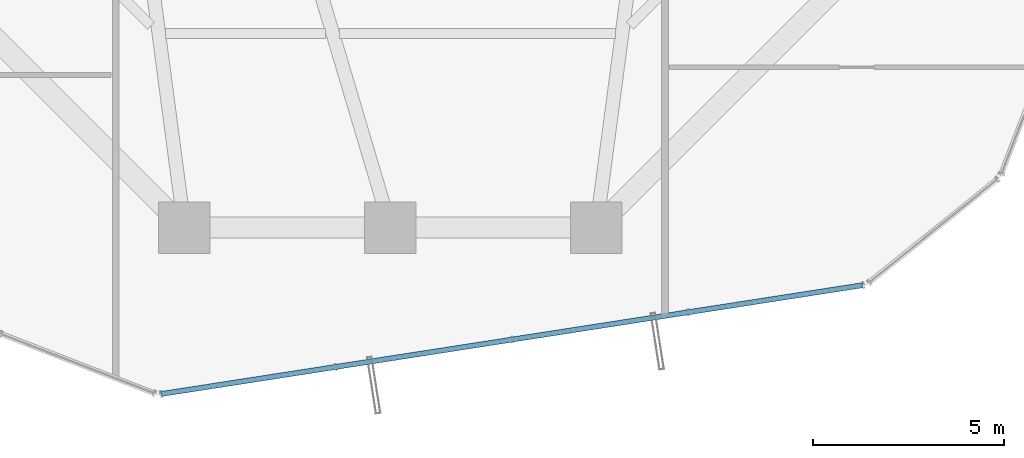
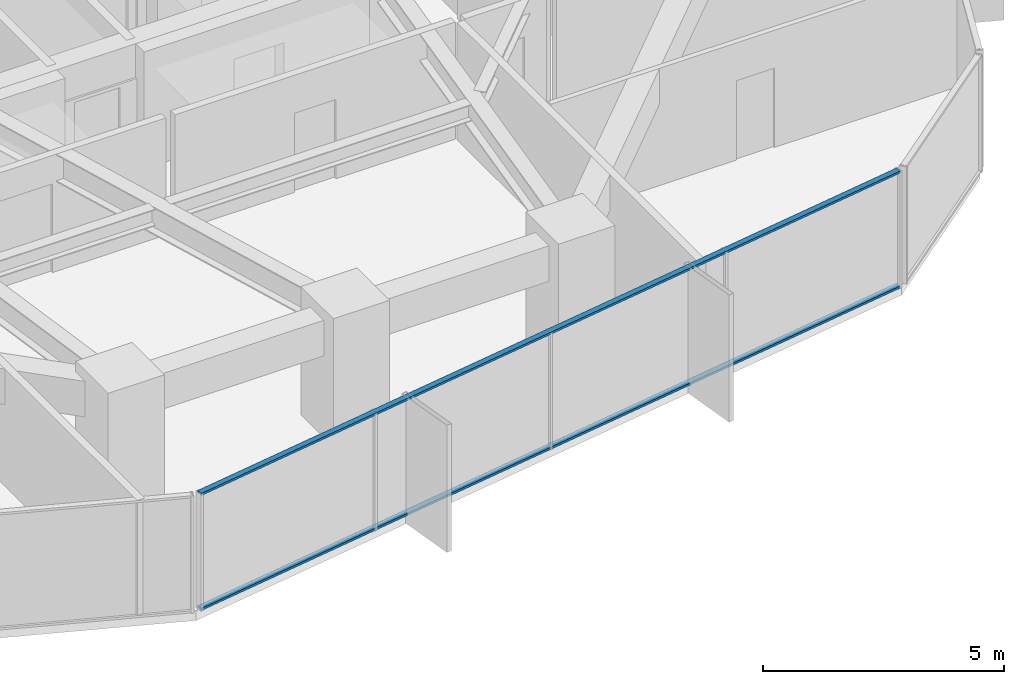
# One storey, part 7 of 37: 2 members, 1 element without a shape of its own.
"""IFC4 building model written with IfcOpenShell, lengths in metres."""

from ifc_helpers import new_model, si_unit, direction, frame, origin, origin_2d, place, context, subcontext, project, spatial, hollow_rectangle, extrude, source, transform, mapped, material, layer, layer_set, material_profile, profile_set, type_object, element, aggregate, save


model = new_model("IFC4")

# Units and contexts
model_context = context("Model", 3, precision=1e-05, world=origin(), true_north=direction((0.0, 1.0)))
body_context = subcontext(model_context, "Body", "Model", "MODEL_VIEW")
ifc_project = project(units=[si_unit("LENGTHUNIT", "METRE"), si_unit("AREAUNIT", "SQUARE_METRE"), si_unit("VOLUMEUNIT", "CUBIC_METRE"), si_unit("PLANEANGLEUNIT", "RADIAN"), si_unit("MASSUNIT", "GRAM", prefix="KILO")], contexts=[model_context])

# Site, building, storey
site_placement = place(None, origin())
site = spatial("IfcSite", under=ifc_project, at=site_placement, CompositionType="ELEMENT")
building_placement = place(site_placement, origin())
building = spatial("IfcBuilding", under=site, at=building_placement, Name="Veraguas Prism Commons", CompositionType="ELEMENT")
storey_placement = place(building_placement, frame((0.0, 0.0, 53.300048828125)))
storey = spatial("IfcBuildingStorey", under=building, at=storey_placement, Name="L14", CompositionType="ELEMENT", Elevation=53.300048828125)

# Curtain wall, members
ifc_material = material(Name="Anodised aluminium EN AW-6063 T6", Category="aluminium")
ifc_layer = layer(ifc_material, 0.169921875, Name="Unitised Flush Curtain Wall Zone 1", Category="aluminium")
ifc_layer_set = layer_set([ifc_layer], Name="Anodised aluminium EN AW-6063 T6")
curtain_wall_type = type_object("IfcCurtainWallType", Name="Unitised Flush Curtain Wall Zone 1", PredefinedType="NOTDEFINED", material=ifc_layer_set)
curtain_wall_placement = place(storey_placement, origin())
curtain_wall = element("IfcCurtainWall", 1, at=curtain_wall_placement, inside=storey, type_object=curtain_wall_type, Name="Tower Facade Curtain Wall L14-F5", PredefinedType="NOTDEFINED")
ifc_material_profile = material_profile(ifc_material, hollow_rectangle(XDim=0.054931640625, YDim=0.135009765625, WallThickness=0.0029296875, at=origin_2d()), Name="AL55X135X3")
ifc_profile_set = profile_set([ifc_material_profile], Name="Anodised aluminium EN AW-6063 T6")
member_type = type_object("IfcMemberType", Name="Curtain Wall Transom Standard AL 55x135x3", PredefinedType="USERDEFINED", material=ifc_profile_set)
shared_shape = source(origin(), body_context, "Body", "SweptSolid", [
    extrude(hollow_rectangle(XDim=0.054931640625, YDim=0.135009765625, WallThickness=0.0029296875, at=origin_2d()), origin(), (0.0, 0.0, 1.0), 18.623779296875),
])
member_1_placement = place(storey_placement, frame((17.985107421875, 2.033447265625, 0.02734375), z_axis=(0.98817599235, 0.153323866843, 0.0), x_axis=(0.0, 0.0, 1.0)))
member_1 = element("IfcMember", 2, at=member_1_placement, type_object=member_type, Name="CW-Z1 Transom 1", ObjectType="TRANSOM", PredefinedType="USERDEFINED", context=body_context, shape_type="MappedRepresentation", body=[
    mapped(shared_shape, transform((0.0, 0.0, 0.0), scale=1.0)),
])
member_2_placement = place(storey_placement, frame((17.985107421875, 2.033447265625, 2.9423828125), z_axis=(0.98817599235, 0.153323866843, 0.0), x_axis=(0.0, 0.0, 1.0)))
member_2 = element("IfcMember", 3, at=member_2_placement, type_object=member_type, Name="CW-Z1 Transom 2", ObjectType="TRANSOM", PredefinedType="USERDEFINED", context=body_context, shape_type="MappedRepresentation", body=[
    mapped(shared_shape, transform((0.0, 0.0, 0.0), scale=1.0)),
])
aggregate(curtain_wall, [member_1, member_2])

save(model, "model.ifc")
